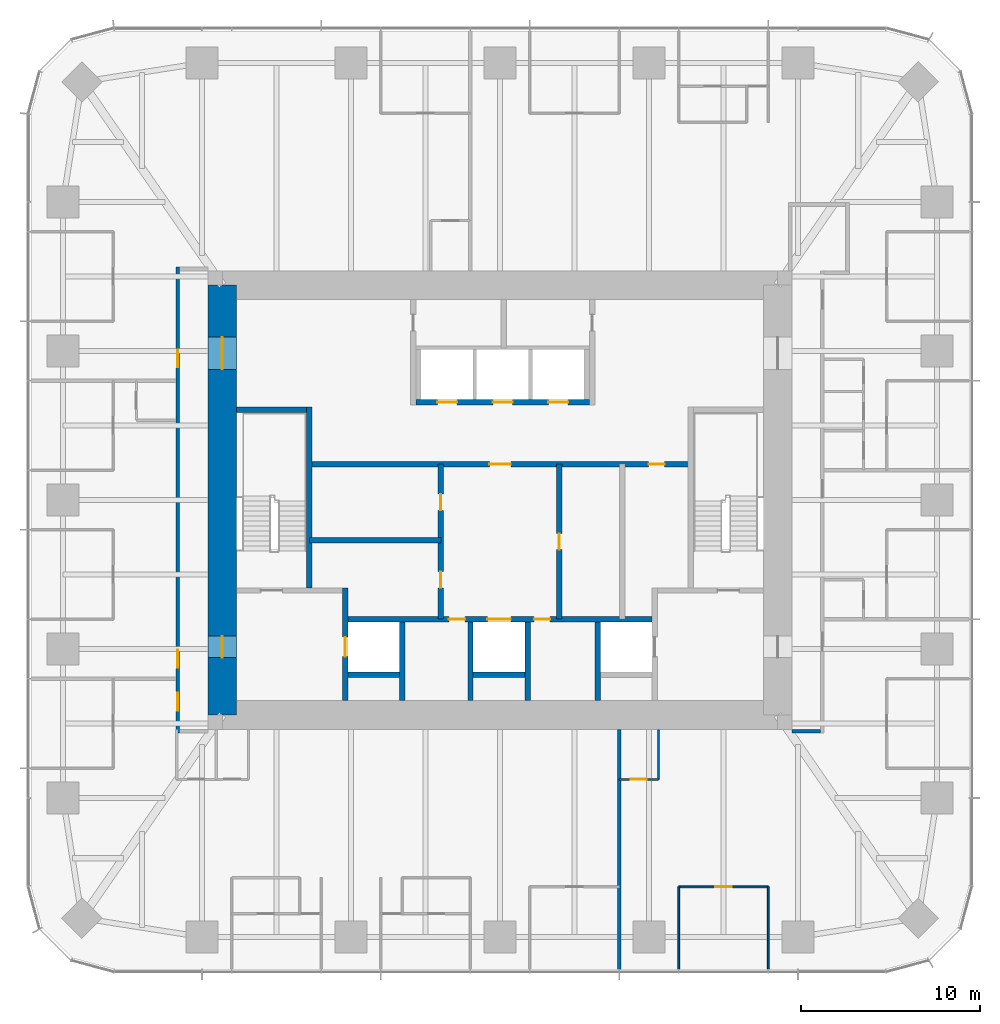
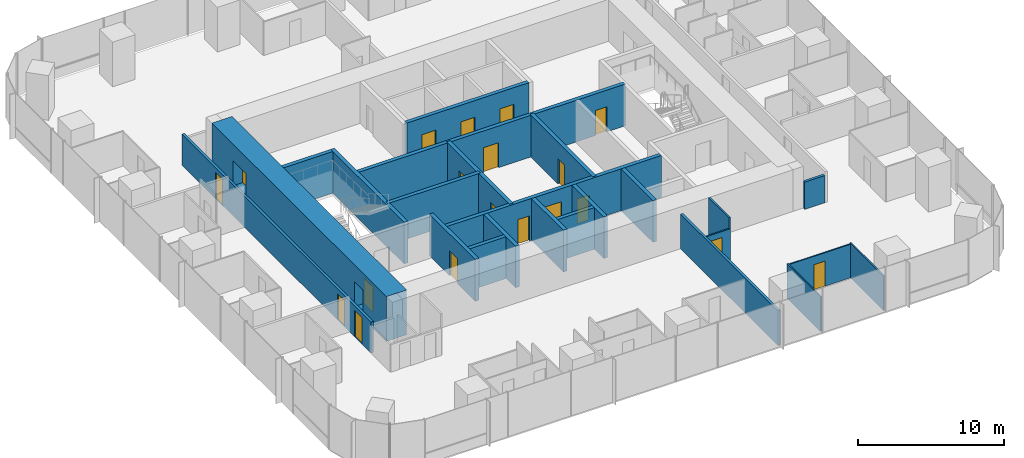
# One storey, part 9 of 12: 24 walls, 19 doors, 19 openings.
"""IFC4 building model written with IfcOpenShell, lengths in metres."""

from ifc_helpers import new_model, si_unit, direction, frame, frame_2d, origin, place, context, subcontext, project, spatial, rectangle, extrude, material, layer, layer_set, type_object, element, fill, save


model = new_model("IFC4")

# Units and contexts
model_context = context("Model", 3, precision=1e-05, world=origin(), true_north=direction((0.0, 1.0)))
body_context = subcontext(model_context, "Body", "Model", "MODEL_VIEW")
ifc_project = project(units=[si_unit("LENGTHUNIT", "METRE"), si_unit("AREAUNIT", "SQUARE_METRE"), si_unit("VOLUMEUNIT", "CUBIC_METRE"), si_unit("PLANEANGLEUNIT", "RADIAN"), si_unit("MASSUNIT", "GRAM", prefix="KILO")], contexts=[model_context])

# Site, building, storey
site_placement = place(None, origin())
site = spatial("IfcSite", under=ifc_project, at=site_placement, CompositionType="ELEMENT")
building_placement = place(site_placement, origin())
building = spatial("IfcBuilding", under=site, at=building_placement, Name="Khuree Lantern Residences", CompositionType="ELEMENT")
storey_placement = place(building_placement, frame((0.0, 0.0, 225.75)))
storey = spatial("IfcBuildingStorey", under=building, at=storey_placement, Name="L56", CompositionType="ELEMENT", Elevation=225.75)

# Wall, opening, door
ifc_material_1 = material(Name="Moisture-resistant gypsum board on steel studs", Category="steel")
ifc_layer_1 = layer(ifc_material_1, 0.125)
ifc_layer_set_1 = layer_set([ifc_layer_1], Name="BATHROOM WALL BTW125")
wall_type_1 = type_object("IfcWallType", Name="BATHROOM WALL BTW125", PredefinedType="PARTITIONING", material=ifc_layer_set_1)
wall_1_placement = place(storey_placement, frame((6.656005859375, -15.60009765625, 0.0), z_axis=(0.0, 0.0, 1.0), x_axis=(1.0, 0.0, 0.0)))
wall_1 = element("IfcWall", 1, at=wall_1_placement, inside=storey, type_object=wall_type_1, Name="L56 BATHROOM WALL 06", PredefinedType="PARTITIONING", context=body_context, shape_type="SweptSolid", body=[
    extrude(rectangle(XDim=2.199951171875, YDim=0.125, at=frame_2d((1.10009765625, 0.0))), origin(), (0.0, 0.0, 1.0), 2.60009765625),
])
opening_1_placement = place(wall_1_placement, frame((0.64990234375, 0.0, 0.0)))
opening_1 = element("IfcOpeningElement", 2, at=opening_1_placement, cuts=wall_1, Name="Opening 56-053", PredefinedType="OPENING", context=body_context, shape_type="SweptSolid", body=[
    extrude(rectangle(XDim=0.89990234375, YDim=2.10009765625, at=frame_2d((0.449951171875, 1.050048828125))), frame((0.0, 0.072509765625, 0.0), z_axis=(0.0, -1.0, 0.0), x_axis=(1.0, 0.0, 0.0)), (0.0, 0.0, 1.0), 0.14501953125),
])
ifc_material_2 = material(Name="Timber door leaf in hardwood frame", Category="wood")
door_type_1 = type_object("IfcDoorType", Name="BATHROOM DOOR 900X2100", OperationType="SINGLE_SWING_LEFT", PredefinedType="DOOR", material=ifc_material_2)
door_1_placement = place(opening_1_placement, origin())
door_1 = element("IfcDoor", 3, at=door_1_placement, inside=storey, type_object=door_type_1, Name="Bathroom door 56-053", OperationType="SINGLE_SWING_LEFT", OverallHeight=2.10009765625, OverallWidth=0.89990234375, PredefinedType="DOOR", context=body_context, shape_type="SweptSolid", body=[
    extrude(rectangle(XDim=0.89990234375, YDim=2.10009765625, at=frame_2d((0.449951171875, 1.050048828125))), frame((0.0, 0.02490234375, 0.0), z_axis=(0.0, -1.0, 0.0), x_axis=(1.0, 0.0, 0.0)), (0.0, 0.0, 1.0), 0.050048828125),
])
fill(opening_1, door_1)

# Wall
wall_2_placement = place(storey_placement, frame((8.85595703125, -12.800048828125, 0.0), z_axis=(0.0, 0.0, 1.0), x_axis=(0.0, -1.0, 0.0)))
element("IfcWall", 4, at=wall_2_placement, inside=storey, type_object=wall_type_1, Name="L56 BATHROOM WALL 06", PredefinedType="PARTITIONING", context=body_context, shape_type="SweptSolid", body=[
    extrude(rectangle(XDim=2.800048828125, YDim=0.125, at=frame_2d((1.39990234375, 0.0))), origin(), (0.0, 0.0, 1.0), 3.5),
])

# Wall, opening, door
ifc_material_3 = material(Name="Dense concrete blockwork", Category="masonry")
ifc_layer_2 = layer(ifc_material_3, 0.300048828125)
ifc_layer_set_2 = layer_set([ifc_layer_2], Name="CORE PARTITION WALL CPW300 EI 120")
wall_type_2 = type_object("IfcWallType", Name="CORE PARTITION WALL CPW300 EI 120", PredefinedType="PARTITIONING", material=ifc_layer_set_2)
wall_3_placement = place(storey_placement, frame((-8.64990234375, -11.199951171875, 0.0), z_axis=(0.0, 0.0, 1.0), x_axis=(0.0, 1.0, 0.0)))
wall_3 = element("IfcWall", 5, at=wall_3_placement, inside=storey, type_object=wall_type_2, Name="L56 CORE WALL FL1W", PredefinedType="PARTITIONING", context=body_context, shape_type="SweptSolid", body=[
    extrude(rectangle(XDim=6.300048828125, YDim=0.300048828125, at=frame_2d((3.14990234375, 0.0))), origin(), (0.0, 0.0, 1.0), 3.5),
])
opening_2_placement = place(wall_3_placement, frame((2.449951171875, 0.0, 0.0)))
opening_2 = element("IfcOpeningElement", 6, at=opening_2_placement, cuts=wall_3, Name="Opening 56-007", PredefinedType="OPENING", context=body_context, shape_type="SweptSolid", body=[
    extrude(rectangle(XDim=1.10009765625, YDim=2.10009765625, at=frame_2d((0.550048828125, 1.050048828125))), frame((0.0, 0.16015625, 0.0), z_axis=(0.0, -1.0, 0.0), x_axis=(1.0, 0.0, 0.0)), (0.0, 0.0, 1.0), 0.320068359375),
])
ifc_material_4 = material(Name="Stainless steel lift landing door", Category="steel")
door_type_2 = type_object("IfcDoorType", Name="LIFT LANDING DOOR 1100X2100 E 120", OperationType="DOUBLE_DOOR_SLIDING", PredefinedType="DOOR", material=ifc_material_4)
door_2_placement = place(opening_2_placement, origin())
door_2 = element("IfcDoor", 7, at=door_2_placement, inside=storey, type_object=door_type_2, Name="Landing door FL1 56-007", OperationType="DOUBLE_DOOR_SLIDING", OverallHeight=2.10009765625, OverallWidth=1.10009765625, PredefinedType="DOOR", context=body_context, shape_type="SweptSolid", body=[
    extrude(rectangle(XDim=1.10009765625, YDim=2.10009765625, at=frame_2d((0.550048828125, 1.050048828125))), frame((0.0, 0.02490234375, 0.0), z_axis=(0.0, -1.0, 0.0), x_axis=(1.0, 0.0, 0.0)), (0.0, 0.0, 1.0), 0.050048828125),
])
fill(opening_2, door_2)

# Wall, openings, doors
wall_4_placement = place(storey_placement, frame((-8.5, -6.64990234375, 0.0), z_axis=(0.0, 0.0, 1.0), x_axis=(1.0, 0.0, 0.0)))
wall_4 = element("IfcWall", 8, at=wall_4_placement, inside=storey, type_object=wall_type_2, Name="L56 CORE WALL FLROW", PredefinedType="PARTITIONING", context=body_context, shape_type="SweptSolid", body=[
    extrude(rectangle(XDim=17.0, YDim=0.300048828125, at=frame_2d((8.5, 0.0))), origin(), (0.0, 0.0, 1.0), 3.5),
])
opening_3_placement = place(wall_4_placement, frame((7.800048828125, 0.0, 0.0)))
opening_3 = element("IfcOpeningElement", 9, at=opening_3_placement, cuts=wall_4, Name="Opening 56-012", PredefinedType="OPENING", context=body_context, shape_type="SweptSolid", body=[
    extrude(rectangle(XDim=1.300048828125, YDim=2.39990234375, at=frame_2d((0.64990234375, 1.199951171875))), frame((0.0, 0.16015625, 0.0), z_axis=(0.0, -1.0, 0.0), x_axis=(1.0, 0.0, 0.0)), (0.0, 0.0, 1.0), 0.320068359375),
])
opening_4_placement = place(wall_4_placement, frame((5.64990234375, 0.0, 0.0)))
opening_4 = element("IfcOpeningElement", 10, at=opening_4_placement, cuts=wall_4, Name="Opening 56-014", PredefinedType="OPENING", context=body_context, shape_type="SweptSolid", body=[
    extrude(rectangle(XDim=0.89990234375, YDim=2.10009765625, at=frame_2d((0.449951171875, 1.050048828125))), frame((0.0, 0.16015625, 0.0), z_axis=(0.0, -1.0, 0.0), x_axis=(1.0, 0.0, 0.0)), (0.0, 0.0, 1.0), 0.320068359375),
])
opening_5_placement = place(wall_4_placement, frame((10.39990234375, 0.0, 0.0)))
opening_5 = element("IfcOpeningElement", 11, at=opening_5_placement, cuts=wall_4, Name="Opening 56-015", PredefinedType="OPENING", context=body_context, shape_type="SweptSolid", body=[
    extrude(rectangle(XDim=0.89990234375, YDim=2.10009765625, at=frame_2d((0.449951171875, 1.050048828125))), frame((0.0, 0.16015625, 0.0), z_axis=(0.0, -1.0, 0.0), x_axis=(1.0, 0.0, 0.0)), (0.0, 0.0, 1.0), 0.320068359375),
])
ifc_material_5 = material(Name="Steel door leaf in steel frame", Category="steel")
door_type_3 = type_object("IfcDoorType", Name="DOOR 900X2100 EI 60", OperationType="SINGLE_SWING_LEFT", PredefinedType="DOOR", material=ifc_material_5)
door_3_placement = place(opening_4_placement, origin())
door_3 = element("IfcDoor", 12, at=door_3_placement, inside=storey, type_object=door_type_3, Name="Refuse chute room door 56-014", OperationType="SINGLE_SWING_LEFT", OverallHeight=2.10009765625, OverallWidth=0.89990234375, PredefinedType="DOOR", context=body_context, shape_type="SweptSolid", body=[
    extrude(rectangle(XDim=0.89990234375, YDim=2.10009765625, at=frame_2d((0.449951171875, 1.050048828125))), frame((0.0, 0.02490234375, 0.0), z_axis=(0.0, -1.0, 0.0), x_axis=(1.0, 0.0, 0.0)), (0.0, 0.0, 1.0), 0.050048828125),
])
fill(opening_4, door_3)
door_type_4 = type_object("IfcDoorType", Name="DOOR 900X2100 EI 60 RIGHT HAND", OperationType="SINGLE_SWING_RIGHT", PredefinedType="DOOR", material=ifc_material_5)
door_4_placement = place(opening_5_placement, origin())
door_4 = element("IfcDoor", 13, at=door_4_placement, inside=storey, type_object=door_type_4, Name="Electrical and plumbing riser door 56-015", OperationType="SINGLE_SWING_RIGHT", OverallHeight=2.10009765625, OverallWidth=0.89990234375, PredefinedType="DOOR", context=body_context, shape_type="SweptSolid", body=[
    extrude(rectangle(XDim=0.89990234375, YDim=2.10009765625, at=frame_2d((0.449951171875, 1.050048828125))), frame((0.0, 0.02490234375, 0.0), z_axis=(0.0, -1.0, 0.0), x_axis=(1.0, 0.0, 0.0)), (0.0, 0.0, 1.0), 0.050048828125),
])
fill(opening_5, door_4)
door_type_5 = type_object("IfcDoorType", Name="LIFT LANDING DOOR 1300X2400 E 60", OperationType="DOUBLE_DOOR_SLIDING", PredefinedType="DOOR", material=ifc_material_4)
door_5_placement = place(opening_3_placement, origin())
door_5 = element("IfcDoor", 14, at=door_5_placement, inside=storey, type_object=door_type_5, Name="Landing door SL1 56-012", OperationType="DOUBLE_DOOR_SLIDING", OverallHeight=2.39990234375, OverallWidth=1.300048828125, PredefinedType="DOOR", context=body_context, shape_type="SweptSolid", body=[
    extrude(rectangle(XDim=1.300048828125, YDim=2.39990234375, at=frame_2d((0.64990234375, 1.199951171875))), frame((0.0, 0.02490234375, 0.0), z_axis=(0.0, -1.0, 0.0), x_axis=(1.0, 0.0, 0.0)), (0.0, 0.0, 1.0), 0.050048828125),
])
fill(opening_3, door_5)

# Walls
for number, where, z_axis, x_axis, name in (
    (15, (-5.449951171875, -11.199951171875, 0.0), (0.0, 0.0, 1.0), (0.0, 1.0, 0.0), "L56 CORE WALL FL1E"),
    (16, (-1.64990234375, -11.199951171875, 0.0), (0.0, 0.0, 1.0), (0.0, 1.0, 0.0), "L56 CORE WALL SL1W"),
    (17, (1.550048828125, -11.199951171875, 0.0), (0.0, 0.0, 1.0), (0.0, 1.0, 0.0), "L56 CORE WALL SL1E"),
    (18, (5.449951171875, -11.199951171875, 0.0), (0.0, 0.0, 1.0), (0.0, 1.0, 0.0), "L56 CORE WALL FL2W"),
):
    element("IfcWall", number, at=place(storey_placement, frame(where, z_axis=z_axis, x_axis=x_axis)), inside=storey, type_object=wall_type_2, Name=name, PredefinedType="PARTITIONING", context=body_context, shape_type="SweptSolid", body=[
        extrude(rectangle(XDim=4.39990234375, YDim=0.300048828125, at=frame_2d((2.199951171875, 0.0))), origin(), (0.0, 0.0, 1.0), 3.5),
    ])
for number, where, z_axis, x_axis, name in (
    (19, (-8.5, -9.75, 0.0), (0.0, 0.0, 1.0), (1.0, 0.0, 0.0), "L56 CORE WALL FL1S"),
    (20, (-1.5, -9.75, 0.0), (0.0, 0.0, 1.0), (1.0, 0.0, 0.0), "L56 CORE WALL SL1S"),
):
    element("IfcWall", number, at=place(storey_placement, frame(where, z_axis=z_axis, x_axis=x_axis)), inside=storey, type_object=wall_type_2, Name=name, PredefinedType="PARTITIONING", context=body_context, shape_type="SweptSolid", body=[
        extrude(rectangle(XDim=2.89990234375, YDim=0.300048828125, at=frame_2d((1.449951171875, 0.0))), origin(), (0.0, 0.0, 1.0), 3.5),
    ])

# Wall, openings, doors
wall_5_placement = place(storey_placement, frame((-4.699951171875, 5.449951171875, 0.0), z_axis=(0.0, 0.0, 1.0), x_axis=(1.0, 0.0, 0.0)))
wall_5 = element("IfcWall", 21, at=wall_5_placement, inside=storey, type_object=wall_type_2, Name="L56 CORE WALL PHS", PredefinedType="PARTITIONING", context=body_context, shape_type="SweptSolid", body=[
    extrude(rectangle(XDim=9.699951171875, YDim=0.300048828125, at=frame_2d((4.85009765625, 0.0))), origin(), (0.0, 0.0, 1.0), 3.5),
])
opening_6_placement = place(wall_5_placement, frame((1.199951171875, 0.0, 0.0)))
opening_6 = element("IfcOpeningElement", 22, at=opening_6_placement, cuts=wall_5, Name="Opening 56-009", PredefinedType="OPENING", context=body_context, shape_type="SweptSolid", body=[
    extrude(rectangle(XDim=1.10009765625, YDim=2.10009765625, at=frame_2d((0.550048828125, 1.050048828125))), frame((0.0, 0.16015625, 0.0), z_axis=(0.0, -1.0, 0.0), x_axis=(1.0, 0.0, 0.0)), (0.0, 0.0, 1.0), 0.320068359375),
])
opening_7_placement = place(wall_5_placement, frame((4.300048828125, 0.0, 0.0)))
opening_7 = element("IfcOpeningElement", 23, at=opening_7_placement, cuts=wall_5, Name="Opening 56-010", PredefinedType="OPENING", context=body_context, shape_type="SweptSolid", body=[
    extrude(rectangle(XDim=1.10009765625, YDim=2.10009765625, at=frame_2d((0.550048828125, 1.050048828125))), frame((0.0, 0.16015625, 0.0), z_axis=(0.0, -1.0, 0.0), x_axis=(1.0, 0.0, 0.0)), (0.0, 0.0, 1.0), 0.320068359375),
])
opening_8_placement = place(wall_5_placement, frame((7.39990234375, 0.0, 0.0)))
opening_8 = element("IfcOpeningElement", 24, at=opening_8_placement, cuts=wall_5, Name="Opening 56-011", PredefinedType="OPENING", context=body_context, shape_type="SweptSolid", body=[
    extrude(rectangle(XDim=1.10009765625, YDim=2.10009765625, at=frame_2d((0.550048828125, 1.050048828125))), frame((0.0, 0.16015625, 0.0), z_axis=(0.0, -1.0, 0.0), x_axis=(1.0, 0.0, 0.0)), (0.0, 0.0, 1.0), 0.320068359375),
])
door_type_6 = type_object("IfcDoorType", Name="LIFT LANDING DOOR 1100X2100 E 60", OperationType="DOUBLE_DOOR_SLIDING", PredefinedType="DOOR", material=ifc_material_4)
door_6_placement = place(opening_6_placement, origin())
door_6 = element("IfcDoor", 25, at=door_6_placement, inside=storey, type_object=door_type_6, Name="Landing door PH1 56-009", OperationType="DOUBLE_DOOR_SLIDING", OverallHeight=2.10009765625, OverallWidth=1.10009765625, PredefinedType="DOOR", context=body_context, shape_type="SweptSolid", body=[
    extrude(rectangle(XDim=1.10009765625, YDim=2.10009765625, at=frame_2d((0.550048828125, 1.050048828125))), frame((0.0, 0.02490234375, 0.0), z_axis=(0.0, -1.0, 0.0), x_axis=(1.0, 0.0, 0.0)), (0.0, 0.0, 1.0), 0.050048828125),
])
fill(opening_6, door_6)
door_7_placement = place(opening_7_placement, origin())
door_7 = element("IfcDoor", 26, at=door_7_placement, inside=storey, type_object=door_type_6, Name="Landing door PH2 56-010", OperationType="DOUBLE_DOOR_SLIDING", OverallHeight=2.10009765625, OverallWidth=1.10009765625, PredefinedType="DOOR", context=body_context, shape_type="SweptSolid", body=[
    extrude(rectangle(XDim=1.10009765625, YDim=2.10009765625, at=frame_2d((0.550048828125, 1.050048828125))), frame((0.0, 0.02490234375, 0.0), z_axis=(0.0, -1.0, 0.0), x_axis=(1.0, 0.0, 0.0)), (0.0, 0.0, 1.0), 0.050048828125),
])
fill(opening_7, door_7)
door_8_placement = place(opening_8_placement, origin())
door_8 = element("IfcDoor", 27, at=door_8_placement, inside=storey, type_object=door_type_6, Name="Landing door PH3 56-011", OperationType="DOUBLE_DOOR_SLIDING", OverallHeight=2.10009765625, OverallWidth=1.10009765625, PredefinedType="DOOR", context=body_context, shape_type="SweptSolid", body=[
    extrude(rectangle(XDim=1.10009765625, YDim=2.10009765625, at=frame_2d((0.550048828125, 1.050048828125))), frame((0.0, 0.02490234375, 0.0), z_axis=(0.0, -1.0, 0.0), x_axis=(1.0, 0.0, 0.0)), (0.0, 0.0, 1.0), 0.050048828125),
])
fill(opening_8, door_8)

wall_6_placement = place(storey_placement, frame((-10.64990234375, 2.0, 0.0), z_axis=(0.0, 0.0, 1.0), x_axis=(1.0, 0.0, 0.0)))
wall_6 = element("IfcWall", 28, at=wall_6_placement, inside=storey, type_object=wall_type_2, Name="L56 CORE WALL LLS", PredefinedType="PARTITIONING", context=body_context, shape_type="SweptSolid", body=[
    extrude(rectangle(XDim=21.2998046875, YDim=0.300048828125, at=frame_2d((10.64990234375, 0.0))), origin(), (0.0, 0.0, 1.0), 3.5),
])
opening_9_placement = place(wall_6_placement, frame((10.050048828125, 0.0, 0.0)))
opening_9 = element("IfcOpeningElement", 29, at=opening_9_placement, cuts=wall_6, Name="Opening 56-013", PredefinedType="OPENING", context=body_context, shape_type="SweptSolid", body=[
    extrude(rectangle(XDim=1.199951171875, YDim=2.10009765625, at=frame_2d((0.60009765625, 1.050048828125))), frame((0.0, 0.16015625, 0.0), z_axis=(0.0, -1.0, 0.0), x_axis=(1.0, 0.0, 0.0)), (0.0, 0.0, 1.0), 0.320068359375),
])
opening_10_placement = place(wall_6_placement, frame((18.94189453125, 0.0, 0.0)))
opening_10 = element("IfcOpeningElement", 30, at=opening_10_placement, cuts=wall_6, Name="Opening 56-019", PredefinedType="OPENING", context=body_context, shape_type="SweptSolid", body=[
    extrude(rectangle(XDim=0.89990234375, YDim=2.10009765625, at=frame_2d((0.449951171875, 1.050048828125))), frame((0.0, 0.16015625, 0.0), z_axis=(0.0, -1.0, 0.0), x_axis=(1.0, 0.0, 0.0)), (0.0, 0.0, 1.0), 0.320068359375),
])
door_type_7 = type_object("IfcDoorType", Name="DOOR 1200X2100 EI 60", OperationType="SINGLE_SWING_LEFT", PredefinedType="DOOR", material=ifc_material_5)
door_9_placement = place(opening_9_placement, origin())
door_9 = element("IfcDoor", 31, at=door_9_placement, inside=storey, type_object=door_type_7, Name="Service lift lobby door 56-013", OperationType="SINGLE_SWING_LEFT", OverallHeight=2.10009765625, OverallWidth=1.199951171875, PredefinedType="DOOR", context=body_context, shape_type="SweptSolid", body=[
    extrude(rectangle(XDim=1.199951171875, YDim=2.10009765625, at=frame_2d((0.60009765625, 1.050048828125))), frame((0.0, 0.02490234375, 0.0), z_axis=(0.0, -1.0, 0.0), x_axis=(1.0, 0.0, 0.0)), (0.0, 0.0, 1.0), 0.050048828125),
])
fill(opening_9, door_9)
door_type_8 = type_object("IfcDoorType", Name="DOOR 900X2100 RIGHT HAND", OperationType="SINGLE_SWING_RIGHT", PredefinedType="DOOR", material=ifc_material_2)
door_10_placement = place(opening_10_placement, origin())
door_10 = element("IfcDoor", 32, at=door_10_placement, inside=storey, type_object=door_type_8, Name="Residents' store door 56-019", OperationType="SINGLE_SWING_RIGHT", OverallHeight=2.10009765625, OverallWidth=0.89990234375, PredefinedType="DOOR", context=body_context, shape_type="SweptSolid", body=[
    extrude(rectangle(XDim=0.89990234375, YDim=2.10009765625, at=frame_2d((0.449951171875, 1.050048828125))), frame((0.0, 0.02490234375, 0.0), z_axis=(0.0, -1.0, 0.0), x_axis=(1.0, 0.0, 0.0)), (0.0, 0.0, 1.0), 0.050048828125),
])
fill(opening_10, door_10)

wall_7_placement = place(storey_placement, frame((-3.300048828125, -6.64990234375, 0.0), z_axis=(0.0, 0.0, 1.0), x_axis=(0.0, 1.0, 0.0)))
wall_7 = element("IfcWall", 33, at=wall_7_placement, inside=storey, type_object=wall_type_2, Name="L56 CORE WALL SVW", PredefinedType="PARTITIONING", context=body_context, shape_type="SweptSolid", body=[
    extrude(rectangle(XDim=8.64990234375, YDim=0.300048828125, at=frame_2d((4.324951171875, 0.0))), origin(), (0.0, 0.0, 1.0), 3.5),
])
opening_11_placement = place(wall_7_placement, frame((1.75, 0.0, 0.0)))
opening_11 = element("IfcOpeningElement", 34, at=opening_11_placement, cuts=wall_7, Name="Opening 56-016", PredefinedType="OPENING", context=body_context, shape_type="SweptSolid", body=[
    extrude(rectangle(XDim=0.89990234375, YDim=2.10009765625, at=frame_2d((0.449951171875, 1.050048828125))), frame((0.0, 0.16015625, 0.0), z_axis=(0.0, -1.0, 0.0), x_axis=(1.0, 0.0, 0.0)), (0.0, 0.0, 1.0), 0.320068359375),
])
opening_12_placement = place(wall_7_placement, frame((6.074951171875, 0.0, 0.0)))
opening_12 = element("IfcOpeningElement", 35, at=opening_12_placement, cuts=wall_7, Name="Opening 56-017", PredefinedType="OPENING", context=body_context, shape_type="SweptSolid", body=[
    extrude(rectangle(XDim=0.89990234375, YDim=2.10009765625, at=frame_2d((0.449951171875, 1.050048828125))), frame((0.0, 0.16015625, 0.0), z_axis=(0.0, -1.0, 0.0), x_axis=(1.0, 0.0, 0.0)), (0.0, 0.0, 1.0), 0.320068359375),
])
door_type_9 = type_object("IfcDoorType", Name="DOOR 900X2100", OperationType="SINGLE_SWING_LEFT", PredefinedType="DOOR", material=ifc_material_2)
door_11_placement = place(opening_11_placement, origin())
door_11 = element("IfcDoor", 36, at=door_11_placement, inside=storey, type_object=door_type_9, Name="Residents' store door 56-016", OperationType="SINGLE_SWING_LEFT", OverallHeight=2.10009765625, OverallWidth=0.89990234375, PredefinedType="DOOR", context=body_context, shape_type="SweptSolid", body=[
    extrude(rectangle(XDim=0.89990234375, YDim=2.10009765625, at=frame_2d((0.449951171875, 1.050048828125))), frame((0.0, 0.02490234375, 0.0), z_axis=(0.0, -1.0, 0.0), x_axis=(1.0, 0.0, 0.0)), (0.0, 0.0, 1.0), 0.050048828125),
])
fill(opening_11, door_11)
door_12_placement = place(opening_12_placement, origin())
door_12 = element("IfcDoor", 37, at=door_12_placement, inside=storey, type_object=door_type_9, Name="Residents' store door 56-017", OperationType="SINGLE_SWING_LEFT", OverallHeight=2.10009765625, OverallWidth=0.89990234375, PredefinedType="DOOR", context=body_context, shape_type="SweptSolid", body=[
    extrude(rectangle(XDim=0.89990234375, YDim=2.10009765625, at=frame_2d((0.449951171875, 1.050048828125))), frame((0.0, 0.02490234375, 0.0), z_axis=(0.0, -1.0, 0.0), x_axis=(1.0, 0.0, 0.0)), (0.0, 0.0, 1.0), 0.050048828125),
])
fill(opening_12, door_12)

# Wall, opening, door
wall_8_placement = place(storey_placement, frame((3.300048828125, -6.64990234375, 0.0), z_axis=(0.0, 0.0, 1.0), x_axis=(0.0, 1.0, 0.0)))
wall_8 = element("IfcWall", 38, at=wall_8_placement, inside=storey, type_object=wall_type_2, Name="L56 CORE WALL SVE", PredefinedType="PARTITIONING", context=body_context, shape_type="SweptSolid", body=[
    extrude(rectangle(XDim=8.64990234375, YDim=0.300048828125, at=frame_2d((4.324951171875, 0.0))), origin(), (0.0, 0.0, 1.0), 3.5),
])
opening_13_placement = place(wall_8_placement, frame((3.875, 0.0, 0.0)))
opening_13 = element("IfcOpeningElement", 39, at=opening_13_placement, cuts=wall_8, Name="Opening 56-018", PredefinedType="OPENING", context=body_context, shape_type="SweptSolid", body=[
    extrude(rectangle(XDim=0.89990234375, YDim=2.10009765625, at=frame_2d((0.449951171875, 1.050048828125))), frame((0.0, 0.16015625, 0.0), z_axis=(0.0, -1.0, 0.0), x_axis=(1.0, 0.0, 0.0)), (0.0, 0.0, 1.0), 0.320068359375),
])
door_13_placement = place(opening_13_placement, origin())
door_13 = element("IfcDoor", 40, at=door_13_placement, inside=storey, type_object=door_type_9, Name="Residents' store door 56-018", OperationType="SINGLE_SWING_LEFT", OverallHeight=2.10009765625, OverallWidth=0.89990234375, PredefinedType="DOOR", context=body_context, shape_type="SweptSolid", body=[
    extrude(rectangle(XDim=0.89990234375, YDim=2.10009765625, at=frame_2d((0.449951171875, 1.050048828125))), frame((0.0, 0.02490234375, 0.0), z_axis=(0.0, -1.0, 0.0), x_axis=(1.0, 0.0, 0.0)), (0.0, 0.0, 1.0), 0.050048828125),
])
fill(opening_13, door_13)

# Walls
wall_9_placement = place(storey_placement, frame((-10.64990234375, -2.25, 0.0), z_axis=(0.0, 0.0, 1.0), x_axis=(1.0, 0.0, 0.0)))
element("IfcWall", 41, at=wall_9_placement, inside=storey, type_object=wall_type_2, Name="L56 CORE WALL WX", PredefinedType="PARTITIONING", context=body_context, shape_type="SweptSolid", body=[
    extrude(rectangle(XDim=7.349853515625, YDim=0.300048828125, at=frame_2d((3.6748046875, 0.0))), origin(), (0.0, 0.0, 1.0), 3.5),
])
ifc_material_6 = material(Name="Gypsum board on steel studs", Category="steel")
ifc_layer_3 = layer(ifc_material_6, 0.199951171875)
ifc_layer_set_3 = layer_set([ifc_layer_3], Name="CORRIDOR WALL CRW200 EI 60")
wall_type_3 = type_object("IfcWallType", Name="CORRIDOR WALL CRW200 EI 60", PredefinedType="PARTITIONING", material=ifc_layer_set_3)
wall_10_placement = place(storey_placement, frame((16.300048828125, -12.89990234375, 0.0), z_axis=(0.0, 0.0, 1.0), x_axis=(1.0, 0.0, 0.0)))
element("IfcWall", 42, at=wall_10_placement, inside=storey, type_object=wall_type_3, Name="L56 EAST CORRIDOR SOUTH END WALL", PredefinedType="PARTITIONING", context=body_context, shape_type="SweptSolid", body=[
    extrude(rectangle(XDim=1.599853515625, YDim=0.199951171875, at=frame_2d((0.7998046875, 0.0))), origin(), (0.0, 0.0, 1.0), 2.300048828125),
])

# Wall, openings, doors
wall_11_placement = place(storey_placement, frame((-18.0, 13.0, 0.0), z_axis=(0.0, 0.0, 1.0), x_axis=(0.0, -1.0, 0.0)))
wall_11 = element("IfcWall", 43, at=wall_11_placement, inside=storey, type_object=wall_type_3, Name="L56 CORRIDOR WALL WEST 1", PredefinedType="PARTITIONING", context=body_context, shape_type="SweptSolid", body=[
    extrude(rectangle(XDim=26.0, YDim=0.199951171875, at=frame_2d((13.0, 0.0))), origin(), (0.0, 0.0, 1.0), 2.60009765625),
])
opening_14_placement = place(wall_11_placement, frame((4.60009765625, 0.0, 0.0)))
opening_14 = element("IfcOpeningElement", 44, at=opening_14_placement, cuts=wall_11, Name="Opening 56-037", PredefinedType="OPENING", context=body_context, shape_type="SweptSolid", body=[
    extrude(rectangle(XDim=1.0, YDim=2.199951171875, at=frame_2d((0.5, 1.10009765625))), frame((0.0, 0.10986328125, 0.0), z_axis=(0.0, -1.0, 0.0), x_axis=(1.0, 0.0, 0.0)), (0.0, 0.0, 1.0), 0.219970703125),
])
opening_15_placement = place(wall_11_placement, frame((21.364013671875, 0.0, 0.0)))
opening_15 = element("IfcOpeningElement", 45, at=opening_15_placement, cuts=wall_11, Name="Opening 56-041", PredefinedType="OPENING", context=body_context, shape_type="SweptSolid", body=[
    extrude(rectangle(XDim=1.0, YDim=2.199951171875, at=frame_2d((0.5, 1.10009765625))), frame((0.0, 0.10986328125, 0.0), z_axis=(0.0, -1.0, 0.0), x_axis=(1.0, 0.0, 0.0)), (0.0, 0.0, 1.0), 0.219970703125),
])
opening_16_placement = place(wall_11_placement, frame((23.75390625, 0.0, 0.0)))
opening_16 = element("IfcOpeningElement", 46, at=opening_16_placement, cuts=wall_11, Name="Opening 56-050", PredefinedType="OPENING", context=body_context, shape_type="SweptSolid", body=[
    extrude(rectangle(XDim=1.0, YDim=2.199951171875, at=frame_2d((0.5, 1.10009765625))), frame((0.0, 0.10986328125, 0.0), z_axis=(0.0, -1.0, 0.0), x_axis=(1.0, 0.0, 0.0)), (0.0, 0.0, 1.0), 0.219970703125),
])
door_type_10 = type_object("IfcDoorType", Name="APARTMENT ENTRANCE DOOR 1000X2200 EI 30S", OperationType="SINGLE_SWING_LEFT", PredefinedType="DOOR", material=ifc_material_2)
door_14_placement = place(opening_14_placement, origin())
door_14 = element("IfcDoor", 47, at=door_14_placement, inside=storey, type_object=door_type_10, Name="Apartment 03 entrance door 56-037", OperationType="SINGLE_SWING_LEFT", OverallHeight=2.199951171875, OverallWidth=1.0, PredefinedType="DOOR", context=body_context, shape_type="SweptSolid", body=[
    extrude(rectangle(XDim=1.0, YDim=2.199951171875, at=frame_2d((0.5, 1.10009765625))), frame((0.0, 0.02490234375, 0.0), z_axis=(0.0, -1.0, 0.0), x_axis=(1.0, 0.0, 0.0)), (0.0, 0.0, 1.0), 0.050048828125),
])
fill(opening_14, door_14)
door_type_11 = type_object("IfcDoorType", Name="APARTMENT ENTRANCE DOOR 1000X2200 EI 30S RIGHT HAND", OperationType="SINGLE_SWING_RIGHT", PredefinedType="DOOR", material=ifc_material_2)
door_15_placement = place(opening_15_placement, origin())
door_15 = element("IfcDoor", 48, at=door_15_placement, inside=storey, type_object=door_type_11, Name="Apartment 04 entrance door 56-041", OperationType="SINGLE_SWING_RIGHT", OverallHeight=2.199951171875, OverallWidth=1.0, PredefinedType="DOOR", context=body_context, shape_type="SweptSolid", body=[
    extrude(rectangle(XDim=1.0, YDim=2.199951171875, at=frame_2d((0.5, 1.10009765625))), frame((0.0, 0.02490234375, 0.0), z_axis=(0.0, -1.0, 0.0), x_axis=(1.0, 0.0, 0.0)), (0.0, 0.0, 1.0), 0.050048828125),
])
fill(opening_15, door_15)
door_16_placement = place(opening_16_placement, origin())
door_16 = element("IfcDoor", 49, at=door_16_placement, inside=storey, type_object=door_type_11, Name="Apartment 05 entrance door 56-050", OperationType="SINGLE_SWING_RIGHT", OverallHeight=2.199951171875, OverallWidth=1.0, PredefinedType="DOOR", context=body_context, shape_type="SweptSolid", body=[
    extrude(rectangle(XDim=1.0, YDim=2.199951171875, at=frame_2d((0.5, 1.10009765625))), frame((0.0, 0.02490234375, 0.0), z_axis=(0.0, -1.0, 0.0), x_axis=(1.0, 0.0, 0.0)), (0.0, 0.0, 1.0), 0.050048828125),
])
fill(opening_16, door_16)

ifc_material_7 = material(Name="Concrete C50/60", Category="concrete")
ifc_layer_4 = layer(ifc_material_7, 1.60009765625)
ifc_layer_set_4 = layer_set([ifc_layer_4], Name="CW1600-C50 CORE WALL C50 1600")
wall_type_4 = type_object("IfcWallType", Name="CW1600-C50 CORE WALL C50 1600", PredefinedType="SHEAR", material=ifc_layer_set_4)
wall_12_placement = place(storey_placement, frame((-15.5, -12.0, -0.25), z_axis=(0.0, 0.0, 1.0), x_axis=(0.0, 1.0, 0.0)))
wall_12 = element("IfcWall", 50, at=wall_12_placement, inside=storey, type_object=wall_type_4, Name="Core wall W", PredefinedType="SHEAR", context=body_context, shape_type="SweptSolid", body=[
    extrude(rectangle(XDim=24.0, YDim=1.60009765625, at=frame_2d((12.0, 0.0))), origin(), (0.0, 0.0, 1.0), 3.75),
])
opening_17_placement = place(wall_12_placement, frame((3.199951171875, 0.0, 0.25)))
opening_17 = element("IfcOpeningElement", 51, at=opening_17_placement, cuts=wall_12, Name="Opening 56-002", PredefinedType="OPENING", context=body_context, shape_type="SweptSolid", body=[
    extrude(rectangle(XDim=1.199951171875, YDim=2.10009765625, at=frame_2d((0.60009765625, 1.050048828125))), frame((0.0, 0.81005859375, 0.0), z_axis=(0.0, -1.0, 0.0), x_axis=(1.0, 0.0, 0.0)), (0.0, 0.0, 1.0), 1.6201171875),
])
opening_18_placement = place(wall_12_placement, frame((19.300048828125, 0.0, 0.25)))
opening_18 = element("IfcOpeningElement", 52, at=opening_18_placement, cuts=wall_12, Name="Opening 56-003", PredefinedType="OPENING", context=body_context, shape_type="SweptSolid", body=[
    extrude(rectangle(XDim=1.800048828125, YDim=2.10009765625, at=frame_2d((0.89990234375, 1.050048828125))), frame((0.0, 0.81005859375, 0.0), z_axis=(0.0, -1.0, 0.0), x_axis=(1.0, 0.0, 0.0)), (0.0, 0.0, 1.0), 1.6201171875),
])
door_type_12 = type_object("IfcDoorType", Name="LOBBY DOOR 1200X2100 EI 120", OperationType="SINGLE_SWING_LEFT", PredefinedType="DOOR", material=ifc_material_5)
door_17_placement = place(opening_17_placement, origin())
door_17 = element("IfcDoor", 53, at=door_17_placement, inside=storey, type_object=door_type_12, Name="Firefighting lobby door 56-002", OperationType="SINGLE_SWING_LEFT", OverallHeight=2.10009765625, OverallWidth=1.199951171875, PredefinedType="DOOR", context=body_context, shape_type="SweptSolid", body=[
    extrude(rectangle(XDim=1.199951171875, YDim=2.10009765625, at=frame_2d((0.60009765625, 1.050048828125))), frame((0.0, 0.02490234375, 0.0), z_axis=(0.0, -1.0, 0.0), x_axis=(1.0, 0.0, 0.0)), (0.0, 0.0, 1.0), 0.050048828125),
])
fill(opening_17, door_17)
door_type_13 = type_object("IfcDoorType", Name="LOBBY DOUBLE DOOR 1800X2100 EI 60", OperationType="DOUBLE_DOOR_SINGLE_SWING", PredefinedType="DOOR", material=ifc_material_5)
door_18_placement = place(opening_18_placement, origin())
door_18 = element("IfcDoor", 54, at=door_18_placement, inside=storey, type_object=door_type_13, Name="Lift lobby door 56-003", OperationType="DOUBLE_DOOR_SINGLE_SWING", OverallHeight=2.10009765625, OverallWidth=1.800048828125, PredefinedType="DOOR", context=body_context, shape_type="SweptSolid", body=[
    extrude(rectangle(XDim=1.800048828125, YDim=2.10009765625, at=frame_2d((0.89990234375, 1.050048828125))), frame((0.0, 0.02490234375, 0.0), z_axis=(0.0, -1.0, 0.0), x_axis=(1.0, 0.0, 0.0)), (0.0, 0.0, 1.0), 0.050048828125),
])
fill(opening_18, door_18)

# Walls
ifc_layer_5 = layer(ifc_material_6, 0.199951171875)
ifc_layer_set_5 = layer_set([ifc_layer_5], Name="DEMISING WALL DMW200 EI 90")
wall_type_5 = type_object("IfcWallType", Name="DEMISING WALL DMW200 EI 90", PredefinedType="PARTITIONING", material=ifc_layer_set_5)
wall_13_placement = place(storey_placement, frame((6.656005859375, -12.800048828125, 0.0), z_axis=(0.0, 0.0, 1.0), x_axis=(0.0, -1.0, 0.0)))
element("IfcWall", 55, at=wall_13_placement, inside=storey, type_object=wall_type_5, Name="L56 DEMISING WALL 06", PredefinedType="PARTITIONING", context=body_context, shape_type="SweptSolid", body=[
    extrude(rectangle(XDim=13.39990234375, YDim=0.199951171875, at=frame_2d((6.699951171875, 0.0))), origin(), (0.0, 0.0, 1.0), 2.909912109375),
])
ifc_layer_6 = layer(ifc_material_6, 0.10009765625)
ifc_layer_set_6 = layer_set([ifc_layer_6], Name="PARTITION PT100")
wall_type_6 = type_object("IfcWallType", Name="PARTITION PT100", PredefinedType="PARTITIONING", material=ifc_layer_set_6)
for number, where, z_axis, x_axis, name in (
    (56, (9.98388671875, -21.60009765625, 0.0), (0.0, 0.0, 1.0), (0.0, -1.0, 0.0), "L56 PARTITION 06"),
    (57, (14.97607421875, -21.60009765625, 0.0), (0.0, 0.0, 1.0), (0.0, -1.0, 0.0), "L56 PARTITION 06"),
):
    element("IfcWall", number, at=place(storey_placement, frame(where, z_axis=z_axis, x_axis=x_axis)), inside=storey, type_object=wall_type_6, Name=name, PredefinedType="PARTITIONING", context=body_context, shape_type="SweptSolid", body=[
        extrude(rectangle(XDim=4.599853515625, YDim=0.10009765625, at=frame_2d((2.2998046875, 0.0))), origin(), (0.0, 0.0, 1.0), 2.909912109375),
    ])

# Wall, opening, door
wall_14_placement = place(storey_placement, frame((9.98388671875, -21.60009765625, 0.0), z_axis=(0.0, 0.0, 1.0), x_axis=(1.0, 0.0, 0.0)))
wall_14 = element("IfcWall", 58, at=wall_14_placement, inside=storey, type_object=wall_type_6, Name="L56 PARTITION 06", PredefinedType="PARTITIONING", context=body_context, shape_type="SweptSolid", body=[
    extrude(rectangle(XDim=4.9921875, YDim=0.10009765625, at=frame_2d((2.49609375, 0.0))), origin(), (0.0, 0.0, 1.0), 2.81005859375),
])
opening_19_placement = place(wall_14_placement, frame((2.0458984375, 0.0, 0.0)))
opening_19 = element("IfcOpeningElement", 59, at=opening_19_placement, cuts=wall_14, Name="Opening 56-051", PredefinedType="OPENING", context=body_context, shape_type="SweptSolid", body=[
    extrude(rectangle(XDim=0.89990234375, YDim=2.10009765625, at=frame_2d((0.449951171875, 1.050048828125))), frame((0.0, 0.06005859375, 0.0), z_axis=(0.0, -1.0, 0.0), x_axis=(1.0, 0.0, 0.0)), (0.0, 0.0, 1.0), 0.1201171875),
])
door_type_14 = type_object("IfcDoorType", Name="BEDROOM DOOR 900X2100", OperationType="SINGLE_SWING_LEFT", PredefinedType="DOOR", material=ifc_material_2)
door_19_placement = place(opening_19_placement, origin())
door_19 = element("IfcDoor", 60, at=door_19_placement, inside=storey, type_object=door_type_14, Name="Bedroom door 56-051", OperationType="SINGLE_SWING_LEFT", OverallHeight=2.10009765625, OverallWidth=0.89990234375, PredefinedType="DOOR", context=body_context, shape_type="SweptSolid", body=[
    extrude(rectangle(XDim=0.89990234375, YDim=2.10009765625, at=frame_2d((0.449951171875, 1.050048828125))), frame((0.0, 0.02490234375, 0.0), z_axis=(0.0, -1.0, 0.0), x_axis=(1.0, 0.0, 0.0)), (0.0, 0.0, 1.0), 0.050048828125),
])
fill(opening_19, door_19)

# Walls
ifc_layer_7 = layer(ifc_material_7, 0.300048828125)
ifc_layer_set_7 = layer_set([ifc_layer_7], Name="STAIR WALL SRW300 C50/60 REI 240")
wall_type_7 = type_object("IfcWallType", Name="STAIR WALL SRW300 C50/60 REI 240", PredefinedType="SOLIDWALL", material=ifc_layer_set_7)
wall_15_placement = place(storey_placement, frame((-10.64990234375, -4.89990234375, 0.0), z_axis=(0.0, 0.0, 1.0), x_axis=(0.0, 1.0, 0.0)))
element("IfcWall", 61, at=wall_15_placement, inside=storey, type_object=wall_type_7, Name="L56 STAIR WALL ST1E", PredefinedType="SOLIDWALL", context=body_context, shape_type="SweptSolid", body=[
    extrude(rectangle(XDim=10.099853515625, YDim=0.300048828125, at=frame_2d((5.0498046875, 0.0))), origin(), (0.0, 0.0, 1.0), 3.5),
])
wall_16_placement = place(storey_placement, frame((-14.699951171875, 5.050048828125, 0.0), z_axis=(0.0, 0.0, 1.0), x_axis=(1.0, 0.0, 0.0)))
element("IfcWall", 62, at=wall_16_placement, inside=storey, type_object=wall_type_7, Name="L56 STAIR WALL ST1N", PredefinedType="SOLIDWALL", context=body_context, shape_type="SweptSolid", body=[
    extrude(rectangle(XDim=3.89990234375, YDim=0.300048828125, at=frame_2d((1.949951171875, 0.0))), origin(), (0.0, 0.0, 1.0), 3.5),
])

save(model, "model.ifc")
